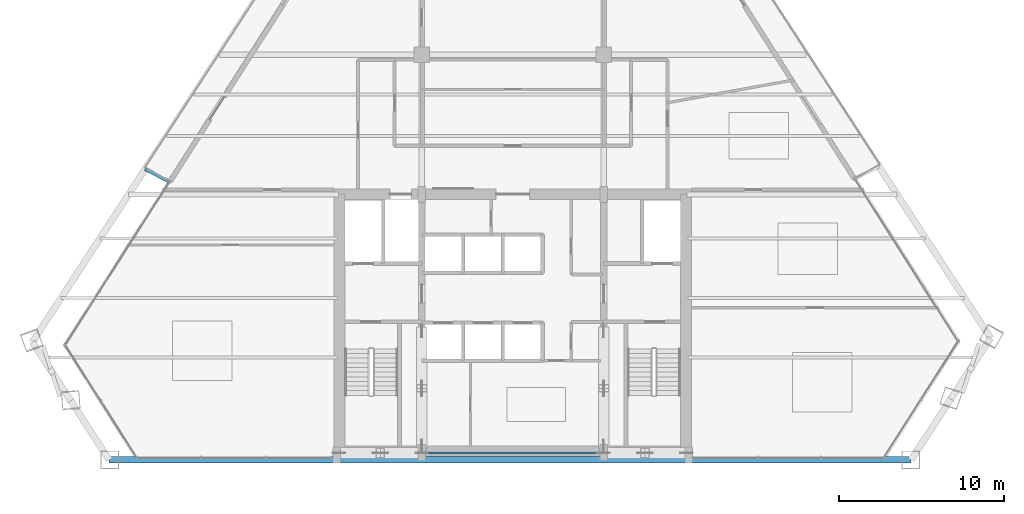
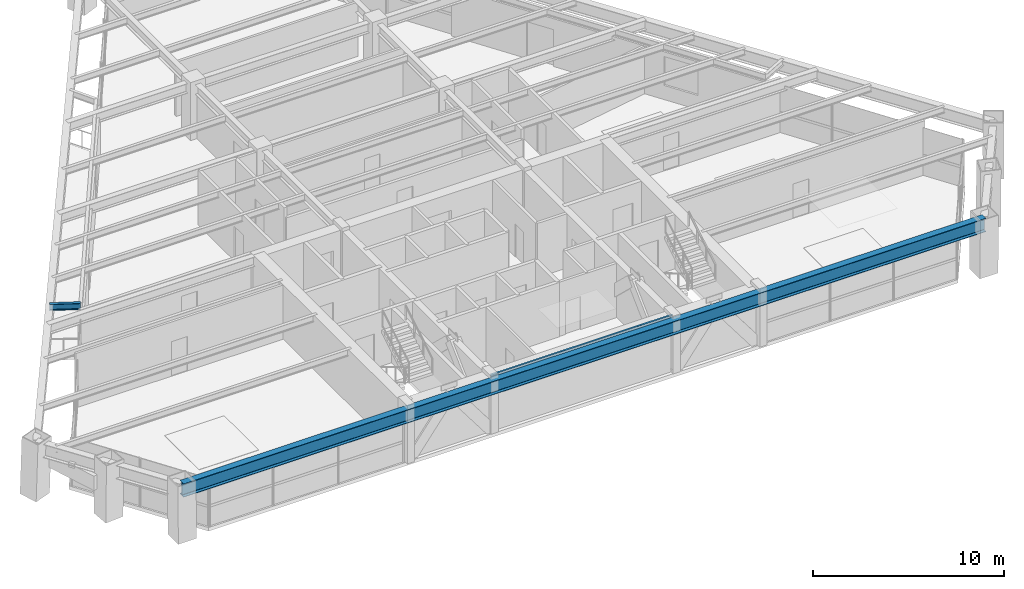
# One storey, part 3 of 15: 3 beams.
"""IFC4 building model written with IfcOpenShell, lengths in metres."""

from ifc_helpers import new_model, si_unit, direction, frame, origin, origin_2d, place, context, subcontext, project, spatial, i_section, extrude, source, transform, mapped, material, material_profile, profile_set, type_object, type_shapes, element, save


model = new_model("IFC4")

# Units and contexts
model_context = context("Model", 3, precision=1e-05, world=origin(), true_north=direction((0.0, 1.0)))
body_context = subcontext(model_context, "Body", "Model", "MODEL_VIEW")
ifc_project = project(units=[si_unit("LENGTHUNIT", "METRE"), si_unit("AREAUNIT", "SQUARE_METRE"), si_unit("VOLUMEUNIT", "CUBIC_METRE"), si_unit("PLANEANGLEUNIT", "RADIAN"), si_unit("MASSUNIT", "GRAM", prefix="KILO")], contexts=[model_context])

# Site, building, storey
site_placement = place(None, origin())
site = spatial("IfcSite", under=ifc_project, at=site_placement, CompositionType="ELEMENT")
building_placement = place(site_placement, origin())
building = spatial("IfcBuilding", under=site, at=building_placement, Name="Varnakhor Terracotta Tower", CompositionType="ELEMENT")
storey_placement = place(building_placement, frame((0.0, 0.0, 158.89990234375)))
storey = spatial("IfcBuildingStorey", under=building, at=storey_placement, Name="L40", CompositionType="ELEMENT", Elevation=158.89990234375)

# Beams
ifc_material = material(Name="Steel S355", Category="steel")
ifc_material_profile_1 = material_profile(ifc_material, i_section(OverallWidth=0.1201171875, OverallDepth=0.239990234375, WebThickness=0.006103515625, FlangeThickness=0.009765625, FilletRadius=0.01806640625, at=origin_2d()), Name="IPE240")
ifc_profile_set_1 = profile_set([ifc_material_profile_1], Name="Steel S355")
beam_type_1 = type_object("IfcBeamType", Name="LNT-IPE240", PredefinedType="LINTEL", material=ifc_profile_set_1)
shared_shape_1 = source(origin(), body_context, "Body", "SweptSolid", [
    extrude(i_section(OverallWidth=0.1201171875, OverallDepth=0.239990234375, WebThickness=0.006103515625, FlangeThickness=0.009765625, FilletRadius=0.01806640625, at=origin_2d()), origin(), (0.0, 0.0, 1.0), 11.0),
])
type_shapes(beam_type_1, [shared_shape_1])
beam_1_placement = place(storey_placement, frame((-5.5, 0.419921875, 3.35009765625), z_axis=(1.0, 0.0, 0.0), x_axis=(0.0, 1.0, 0.0)))
element("IfcBeam", 1, at=beam_1_placement, inside=storey, type_object=beam_type_1, Name="L40 Core South Coupling Lintel", PredefinedType="LINTEL", context=body_context, shape_type="MappedRepresentation", body=[
    mapped(shared_shape_1, transform((0.0, 0.0, 0.0), scale=1.0)),
])
ifc_material_profile_2 = material_profile(ifc_material, i_section(OverallWidth=0.39990234375, OverallDepth=0.85498046875, WebThickness=0.01806640625, FlangeThickness=0.029052734375, FilletRadius=0.01806640625, at=origin_2d()), Name="W33X201")
ifc_profile_set_2 = profile_set([ifc_material_profile_2], Name="Steel S355")
beam_type_2 = type_object("IfcBeamType", Name="BM-W33X201", PredefinedType="BEAM", material=ifc_profile_set_2)
shared_shape_2 = source(origin(), body_context, "Body", "SweptSolid", [
    extrude(i_section(OverallWidth=0.39990234375, OverallDepth=0.85498046875, WebThickness=0.01806640625, FlangeThickness=0.029052734375, FilletRadius=0.01806640625, at=origin_2d()), origin(), (0.0, 0.0, 1.0), 48.494873046875),
])
beam_2_placement = place(storey_placement, frame((-24.404052734375, 0.0, 3.04248046875), z_axis=(1.0, 0.0, 0.0), x_axis=(0.0, 1.0, 0.0)))
element("IfcBeam", 2, at=beam_2_placement, inside=storey, type_object=beam_type_2, Name="L40 Perimeter Spandrel 1", PredefinedType="BEAM", context=body_context, shape_type="MappedRepresentation", body=[
    mapped(shared_shape_2, transform((0.0, 0.0, 0.0), scale=1.0)),
])
ifc_material_profile_3 = material_profile(ifc_material, i_section(OverallWidth=0.179931640625, OverallDepth=0.39990234375, WebThickness=0.008544921875, FlangeThickness=0.013427734375, FilletRadius=0.01806640625, at=origin_2d()), Name="IPE400")
ifc_profile_set_3 = profile_set([ifc_material_profile_3], Name="Steel S355")
beam_type_3 = type_object("IfcBeamType", Name="JST-IPE400", PredefinedType="JOIST", material=ifc_profile_set_3)
shared_shape_3 = source(origin(), body_context, "Body", "SweptSolid", [
    extrude(i_section(OverallWidth=0.179931640625, OverallDepth=0.39990234375, WebThickness=0.008544921875, FlangeThickness=0.013427734375, FilletRadius=0.01806640625, at=origin_2d()), origin(), (0.0, 0.0, 1.0), 1.62548828125),
])
beam_3_placement = place(storey_placement, frame((-20.7900390625, 16.840087890625, 3.27001953125), z_axis=(-0.893343192334, 0.449375055727, 0.0), x_axis=(-0.449375055727, -0.893343192334, 0.0)))
element("IfcBeam", 3, at=beam_3_placement, inside=storey, type_object=beam_type_3, Name="L41 W Loggia Tie Beam 1", PredefinedType="JOIST", context=body_context, shape_type="MappedRepresentation", body=[
    mapped(shared_shape_3, transform((0.0, 0.0, 0.0), scale=1.0)),
])

save(model, "model.ifc")
